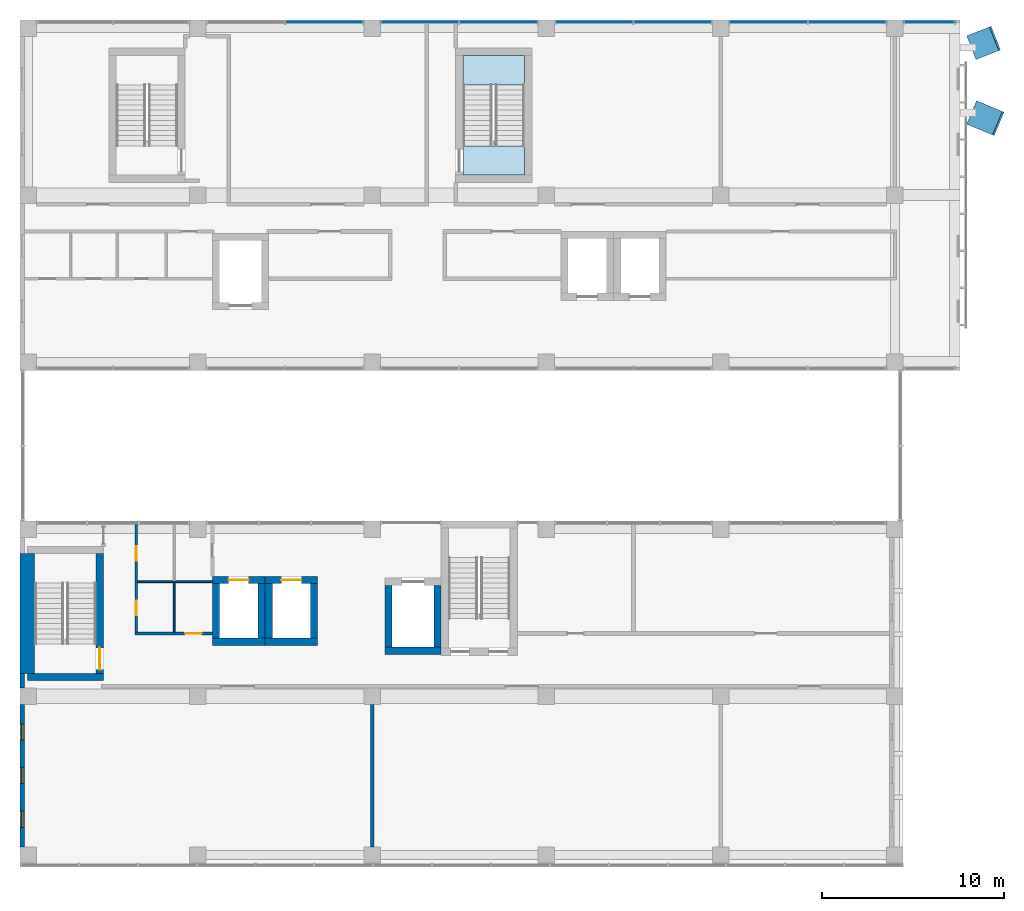
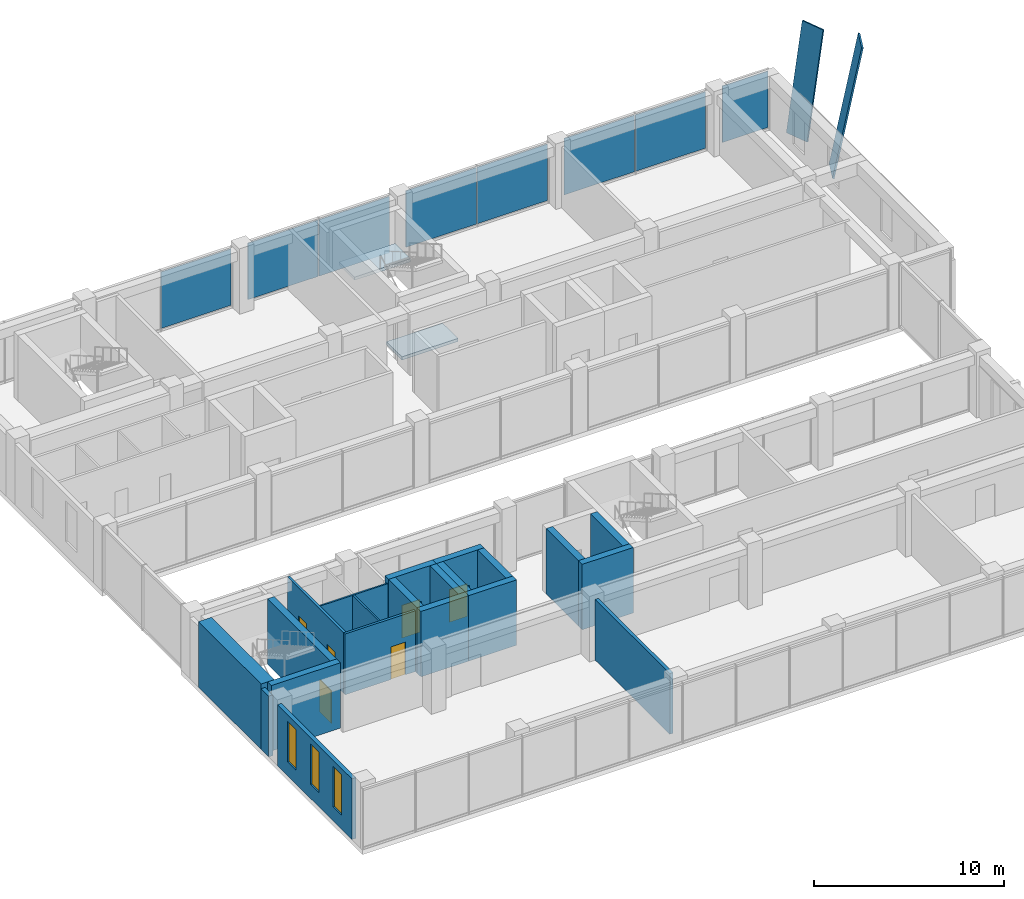
# One storey, part 27 of 37: 21 walls, 10 plates, 6 doors, 3 windows, 2 slabs, 9 openings, 6 elements without a shape of their own.
"""IFC4 building model written with IfcOpenShell, lengths in metres."""

from ifc_helpers import new_model, si_unit, direction, frame, frame_2d, origin, origin_2d, place, context, subcontext, project, spatial, polyline, rectangle, outline, extrude, material, layer, layer_set, layer_usage, material_profile, profile_set, type_object, element, fill, aggregate, save


model = new_model("IFC4")

# Units and contexts
model_context = context("Model", 3, precision=1e-05, world=origin(), true_north=direction((0.0, 1.0)))
body_context = subcontext(model_context, "Body", "Model", "MODEL_VIEW")
ifc_project = project(units=[si_unit("LENGTHUNIT", "METRE"), si_unit("AREAUNIT", "SQUARE_METRE"), si_unit("VOLUMEUNIT", "CUBIC_METRE"), si_unit("PLANEANGLEUNIT", "RADIAN"), si_unit("MASSUNIT", "GRAM", prefix="KILO")], contexts=[model_context])

# Site, building, storey
site_placement = place(None, origin())
site = spatial("IfcSite", under=ifc_project, at=site_placement, CompositionType="ELEMENT")
building_placement = place(site_placement, origin())
building = spatial("IfcBuilding", under=site, at=building_placement, Name="Nzadi Deep Aquarium and Research Tower", CompositionType="ELEMENT")
storey_placement = place(building_placement, frame((0.0, 0.0, 57.10009765625)))
storey = spatial("IfcBuildingStorey", under=building, at=storey_placement, Name="L11", CompositionType="ELEMENT", Elevation=57.10009765625)

# Plates
ifc_material_1 = material(Name="Anodised aluminium, bright", Category="aluminium")
ifc_material_profile_1 = material_profile(ifc_material_1, rectangle(XDim=1.39990234375, YDim=0.10009765625, at=origin_2d()))
ifc_profile_set_1 = profile_set([ifc_material_profile_1], Name="Anodised aluminium, bright")
plate_type_1 = type_object("IfcPlateType", Name="Fold blade anodised aluminium 1400x100, 6.6 m", PredefinedType="SHEET", material=ifc_profile_set_1)
plate_1_placement = place(storey_placement, frame((52.256591796875, 44.93994140625, 0.010009765625), z_axis=(0.190240304875, 0.074979019635, 0.978870151254), x_axis=(-0.366676362678, 0.930348561053, 0.0)))
element("IfcPlate", 1, at=plate_1_placement, inside=storey, type_object=plate_type_1, Name="FD019 fold blade EB L11", PredefinedType="SHEET", context=body_context, shape_type="SweptSolid", body=[
    extrude(rectangle(XDim=1.39990234375, YDim=0.10009765625, at=origin_2d()), origin(), (0.0, 0.0, 1.0), 6.60009765625),
])
ifc_material_2 = material(Name="Anodised aluminium, bright", Category="aluminium")
ifc_material_profile_2 = material_profile(ifc_material_2, rectangle(XDim=1.39990234375, YDim=0.10009765625, at=origin_2d()))
ifc_profile_set_2 = profile_set([ifc_material_profile_2], Name="Anodised aluminium, bright")
plate_type_2 = type_object("IfcPlateType", Name="Fold blade anodised aluminium 1400x100, 8.4 m", PredefinedType="SHEET", material=ifc_profile_set_2)
plate_2_placement = place(storey_placement, frame((52.27001953125, 41.340087890625, 0.009033203125), z_axis=(0.169702913229, -0.0710026061, 0.982934154035), x_axis=(0.385972383859, 0.922510335388, 0.0)))
element("IfcPlate", 2, at=plate_2_placement, inside=storey, type_object=plate_type_2, Name="FD018 fold blade EB L11", PredefinedType="SHEET", context=body_context, shape_type="SweptSolid", body=[
    extrude(rectangle(XDim=1.39990234375, YDim=0.10009765625, at=origin_2d()), origin(), (0.0, 0.0, 1.0), 8.400146484375),
])

# Curtain wall, plate
ifc_material_3 = material(Name="Aluminium unitised frame deep", Category="aluminium")
ifc_layer_1 = layer(ifc_material_3, 0.22509765625)
ifc_layer_set_1 = layer_set([ifc_layer_1], Name="Aluminium unitised frame deep")
curtain_wall_type = type_object("IfcCurtainWallType", Name="Curtain wall Unitised Deep 225", PredefinedType="NOTDEFINED", material=ifc_layer_set_1)
curtain_wall_1_placement = place(storey_placement, origin())
curtain_wall_1 = element("IfcCurtainWall", 3, at=curtain_wall_1_placement, inside=storey, type_object=curtain_wall_type, Name="Unitised curtain wall blade B north L11", PredefinedType="NOTDEFINED")
ifc_material_4 = material(Name="Glass, sage tint", Category="glass")
ifc_layer_2 = layer(ifc_material_4, 0.0400390625)
ifc_layer_set_2 = layer_set([ifc_layer_2], Name="Glass, sage tint")
plate_type_3 = type_object("IfcPlateType", Name="Glazing panel 40 Unitised Deep", PredefinedType="CURTAIN_PANEL", material=ifc_layer_set_2)
plate_3_placement = place(storey_placement, frame((16.56005859375, 46.33740234375, 0.139892578125), z_axis=(0.0, 0.0, 1.0), x_axis=(1.0, 0.0, 0.0)))
plate_3 = element("IfcPlate", 4, at=plate_3_placement, type_object=plate_type_3, Name="CW147 panel 2.1", PredefinedType="CURTAIN_PANEL", context=body_context, shape_type="SweptSolid", body=[
    extrude(rectangle(XDim=4.260009765625, YDim=0.0400390625, at=origin_2d()), origin(), (0.0, 0.0, 1.0), 3.6201171875),
])
aggregate(curtain_wall_1, [plate_3])

# Curtain wall, plates
curtain_wall_2_placement = place(storey_placement, origin())
curtain_wall_2 = element("IfcCurtainWall", 5, at=curtain_wall_2_placement, inside=storey, type_object=curtain_wall_type, Name="Unitised curtain wall blade B north L11", PredefinedType="NOTDEFINED")
plate_4_placement = place(storey_placement, frame((21.840087890625, 46.33740234375, 0.139892578125), z_axis=(0.0, 0.0, 1.0), x_axis=(1.0, 0.0, 0.0)))
plate_4 = element("IfcPlate", 6, at=plate_4_placement, type_object=plate_type_3, Name="CW148 panel 1.1", PredefinedType="CURTAIN_PANEL", context=body_context, shape_type="SweptSolid", body=[
    extrude(rectangle(XDim=4.260009765625, YDim=0.0400390625, at=origin_2d()), origin(), (0.0, 0.0, 1.0), 3.6201171875),
])
plate_5_placement = place(storey_placement, frame((26.159912109375, 46.33740234375, 0.139892578125), z_axis=(0.0, 0.0, 1.0), x_axis=(1.0, 0.0, 0.0)))
plate_5 = element("IfcPlate", 7, at=plate_5_placement, type_object=plate_type_3, Name="CW148 panel 2.1", PredefinedType="CURTAIN_PANEL", context=body_context, shape_type="SweptSolid", body=[
    extrude(rectangle(XDim=4.260009765625, YDim=0.0400390625, at=origin_2d()), origin(), (0.0, 0.0, 1.0), 3.6201171875),
])
aggregate(curtain_wall_2, [plate_4, plate_5])

curtain_wall_3_placement = place(storey_placement, origin())
curtain_wall_3 = element("IfcCurtainWall", 8, at=curtain_wall_3_placement, inside=storey, type_object=curtain_wall_type, Name="Unitised curtain wall blade B north L11", PredefinedType="NOTDEFINED")
plate_6_placement = place(storey_placement, frame((31.43994140625, 46.33740234375, 0.139892578125), z_axis=(0.0, 0.0, 1.0), x_axis=(1.0, 0.0, 0.0)))
plate_6 = element("IfcPlate", 9, at=plate_6_placement, type_object=plate_type_3, Name="CW149 panel 1.1", PredefinedType="CURTAIN_PANEL", context=body_context, shape_type="SweptSolid", body=[
    extrude(rectangle(XDim=4.260009765625, YDim=0.0400390625, at=origin_2d()), origin(), (0.0, 0.0, 1.0), 3.6201171875),
])
plate_7_placement = place(storey_placement, frame((35.760009765625, 46.33740234375, 0.139892578125), z_axis=(0.0, 0.0, 1.0), x_axis=(1.0, 0.0, 0.0)))
plate_7 = element("IfcPlate", 10, at=plate_7_placement, type_object=plate_type_3, Name="CW149 panel 2.1", PredefinedType="CURTAIN_PANEL", context=body_context, shape_type="SweptSolid", body=[
    extrude(rectangle(XDim=4.260009765625, YDim=0.0400390625, at=origin_2d()), origin(), (0.0, 0.0, 1.0), 3.6201171875),
])
aggregate(curtain_wall_3, [plate_6, plate_7])

curtain_wall_4_placement = place(storey_placement, origin())
curtain_wall_4 = element("IfcCurtainWall", 11, at=curtain_wall_4_placement, inside=storey, type_object=curtain_wall_type, Name="Unitised curtain wall blade B north L11", PredefinedType="NOTDEFINED")
plate_8_placement = place(storey_placement, frame((41.0400390625, 46.33740234375, 0.139892578125), z_axis=(0.0, 0.0, 1.0), x_axis=(1.0, 0.0, 0.0)))
plate_8 = element("IfcPlate", 12, at=plate_8_placement, type_object=plate_type_3, Name="CW150 panel 1.1", PredefinedType="CURTAIN_PANEL", context=body_context, shape_type="SweptSolid", body=[
    extrude(rectangle(XDim=4.260009765625, YDim=0.0400390625, at=origin_2d()), origin(), (0.0, 0.0, 1.0), 3.6201171875),
])
plate_9_placement = place(storey_placement, frame((45.360107421875, 46.33740234375, 0.139892578125), z_axis=(0.0, 0.0, 1.0), x_axis=(1.0, 0.0, 0.0)))
plate_9 = element("IfcPlate", 13, at=plate_9_placement, type_object=plate_type_3, Name="CW150 panel 2.1", PredefinedType="CURTAIN_PANEL", context=body_context, shape_type="SweptSolid", body=[
    extrude(rectangle(XDim=4.260009765625, YDim=0.0400390625, at=origin_2d()), origin(), (0.0, 0.0, 1.0), 3.6201171875),
])
aggregate(curtain_wall_4, [plate_8, plate_9])

# Curtain wall, plate
curtain_wall_5_placement = place(storey_placement, origin())
curtain_wall_5 = element("IfcCurtainWall", 14, at=curtain_wall_5_placement, inside=storey, type_object=curtain_wall_type, Name="Unitised curtain wall blade B north L11", PredefinedType="NOTDEFINED")
plate_10_placement = place(storey_placement, frame((49.89990234375, 46.33740234375, 0.139892578125), z_axis=(0.0, 0.0, 1.0), x_axis=(1.0, 0.0, 0.0)))
plate_10 = element("IfcPlate", 15, at=plate_10_placement, type_object=plate_type_3, Name="CW151 panel 1.1", PredefinedType="CURTAIN_PANEL", context=body_context, shape_type="SweptSolid", body=[
    extrude(rectangle(XDim=2.780029296875, YDim=0.0400390625, at=origin_2d()), origin(), (0.0, 0.0, 1.0), 3.6201171875),
])
aggregate(curtain_wall_5, [plate_10])

# Stair, slabs
ifc_material_5 = material(Name="Concrete C35/45", Category="concrete")
stair_type = type_object("IfcStairType", Name="STAIR RETURN 3000", PredefinedType="NOTDEFINED", material=ifc_material_5)
stair_placement = place(storey_placement, origin())
stair = element("IfcStair", 16, at=stair_placement, inside=storey, type_object=stair_type, Name="Stair ST-Z1-NE L11", PredefinedType="HALF_TURN_STAIR")
ifc_material_6 = material(Name="Concrete C35/45", Category="concrete")
ifc_layer_3 = layer(ifc_material_6, 0.199951171875)
ifc_layer_set_3 = layer_set([ifc_layer_3], Name="Concrete C35/45")
slab_type = type_object("IfcSlabType", Name="LANDING 200", PredefinedType="LANDING", material=ifc_layer_set_3)
slab_1_placement = place(storey_placement, frame((0.0, 0.0, -0.2001953125)))
slab_1 = element("IfcSlab", 17, at=slab_1_placement, type_object=slab_type, Name="ST-Z1-NE landing 1", PredefinedType="LANDING", context=body_context, shape_type="SweptSolid", body=[
    extrude(outline(polyline([(24.199951171875, 37.89990234375), (27.60009765625, 37.89990234375), (27.60009765625, 39.52001953125), (24.199951171875, 39.52001953125), (24.199951171875, 37.89990234375)])), origin(), (0.0, 0.0, 1.0), 0.2001953125),
])
slab_2_placement = place(storey_placement, frame((0.0, 0.0, 1.89990234375)))
slab_2 = element("IfcSlab", 18, at=slab_2_placement, type_object=slab_type, Name="ST-Z1-NE landing 2", PredefinedType="LANDING", context=body_context, shape_type="SweptSolid", body=[
    extrude(outline(polyline([(24.199951171875, 42.8798828125), (27.60009765625, 42.8798828125), (27.60009765625, 44.5), (24.199951171875, 44.5), (24.199951171875, 42.8798828125)])), origin(), (0.0, 0.0, 1.0), 0.199951171875),
])
aggregate(stair, [slab_1, slab_2])

# Wall
ifc_material_7 = material(Name="Concrete C35/45", Category="concrete")
ifc_layer_4 = layer(ifc_material_7, 0.14990234375, Category="cladding")
ifc_material_8 = material(Name="Mineral wool insulation")
ifc_layer_5 = layer(ifc_material_8, 0.070068359375, Category="insulation")
ifc_material_9 = material(Name="Gypsum board lining")
ifc_layer_6 = layer(ifc_material_9, 0.030029296875, Category="lining")
ifc_layer_set_4 = layer_set([ifc_layer_4, ifc_layer_5, ifc_layer_6], Name="Concrete C35/45, Mineral wool insulation, Gypsum board lining")
ifc_layer_usage_1 = layer_usage(ifc_layer_set_4, "AXIS2", "POSITIVE", -0.125)
wall_type_1 = type_object("IfcWallType", Name="End wall board-formed concrete 250", PredefinedType="ELEMENTEDWALL", material=ifc_layer_set_4)
wall_1_placement = place(storey_placement, frame((-0.074462890625, 10.449951171875, 0.0), z_axis=(0.0, 0.0, 1.0), x_axis=(0.0, -1.0, 0.0)))
element("IfcWall", 19, at=wall_1_placement, inside=storey, type_object=wall_type_1, material=ifc_layer_usage_1, Name="End wall blade A west L11", PredefinedType="ELEMENTEDWALL", context=body_context, shape_type="SweptSolid", body=[
    extrude(rectangle(XDim=0.800048828125, YDim=0.25, at=frame_2d((0.39990234375, 0.0))), origin(), (0.0, 0.0, 1.0), 3.89990234375),
])

# Wall, openings, windows
ifc_material_10 = material(Name="Graphite aluminium shingle", Category="aluminium")
ifc_layer_7 = layer(ifc_material_10, 0.050048828125, Category="cladding")
ifc_layer_8 = layer(ifc_material_7, 0.10009765625, Category="cladding")
ifc_layer_9 = layer(ifc_material_8, 0.070068359375, Category="insulation")
ifc_layer_10 = layer(ifc_material_9, 0.030029296875, Category="lining")
ifc_layer_set_5 = layer_set([ifc_layer_7, ifc_layer_8, ifc_layer_9, ifc_layer_10], Name="Graphite aluminium shingle, Concrete C35/45, Mineral wool insulation, Gypsum board lining")
ifc_layer_usage_2 = layer_usage(ifc_layer_set_5, "AXIS2", "POSITIVE", -0.125)
wall_type_2 = type_object("IfcWallType", Name="End wall shingle over board-formed concrete 250", PredefinedType="ELEMENTEDWALL", material=ifc_layer_set_5)
wall_2_placement = place(storey_placement, frame((-0.074462890625, 8.75, 0.0), z_axis=(0.0, 0.0, 1.0), x_axis=(0.0, -1.0, 0.0)))
wall_2 = element("IfcWall", 20, at=wall_2_placement, inside=storey, type_object=wall_type_2, material=ifc_layer_usage_2, Name="End wall blade A west L11", PredefinedType="ELEMENTEDWALL", context=body_context, shape_type="SweptSolid", body=[
    extrude(rectangle(XDim=7.85009765625, YDim=0.25, at=frame_2d((3.925048828125, 0.0))), origin(), (0.0, 0.0, 1.0), 3.89990234375),
])
opening_1_placement = place(wall_2_placement, frame((5.875, 0.0, 0.89990234375)))
opening_1 = element("IfcOpeningElement", 21, at=opening_1_placement, cuts=wall_2, Name="Opening WN02", PredefinedType="OPENING", context=body_context, shape_type="SweptSolid", body=[
    extrude(rectangle(XDim=0.89990234375, YDim=2.60009765625, at=frame_2d((0.449951171875, 1.300048828125))), frame((0.0, 0.135009765625, 0.0), z_axis=(0.0, -1.0, 0.0), x_axis=(1.0, 0.0, 0.0)), (0.0, 0.0, 1.0), 0.27001953125),
])
opening_2_placement = place(wall_2_placement, frame((3.47509765625, 0.0, 0.89990234375)))
opening_2 = element("IfcOpeningElement", 22, at=opening_2_placement, cuts=wall_2, Name="Opening WN02", PredefinedType="OPENING", context=body_context, shape_type="SweptSolid", body=[
    extrude(rectangle(XDim=0.89990234375, YDim=2.60009765625, at=frame_2d((0.449951171875, 1.300048828125))), frame((0.0, 0.135009765625, 0.0), z_axis=(0.0, -1.0, 0.0), x_axis=(1.0, 0.0, 0.0)), (0.0, 0.0, 1.0), 0.27001953125),
])
opening_3_placement = place(wall_2_placement, frame((1.074951171875, 0.0, 0.89990234375)))
opening_3 = element("IfcOpeningElement", 23, at=opening_3_placement, cuts=wall_2, Name="Opening WN02", PredefinedType="OPENING", context=body_context, shape_type="SweptSolid", body=[
    extrude(rectangle(XDim=0.89990234375, YDim=2.60009765625, at=frame_2d((0.449951171875, 1.300048828125))), frame((0.0, 0.135009765625, 0.0), z_axis=(0.0, -1.0, 0.0), x_axis=(1.0, 0.0, 0.0)), (0.0, 0.0, 1.0), 0.27001953125),
])
ifc_material_11 = material(Name="Aluminium window, sage tint glazing", Category="aluminium")
window_type = type_object("IfcWindowType", Name="Slot window 900x2600 sill 900", PartitioningType="SINGLE_PANEL", PredefinedType="WINDOW", material=ifc_material_11)
window_1_placement = place(opening_1_placement, origin())
window_1 = element("IfcWindow", 24, at=window_1_placement, inside=storey, type_object=window_type, Name="Slot window L11 AW", OverallHeight=2.60009765625, OverallWidth=0.89990234375, PartitioningType="SINGLE_PANEL", PredefinedType="WINDOW", context=body_context, shape_type="SweptSolid", body=[
    extrude(rectangle(XDim=0.89990234375, YDim=2.60009765625, at=frame_2d((0.449951171875, 1.300048828125))), frame((0.0, 0.030029296875, 0.0), z_axis=(0.0, -1.0, 0.0), x_axis=(1.0, 0.0, 0.0)), (0.0, 0.0, 1.0), 0.06005859375),
])
fill(opening_1, window_1)
window_2_placement = place(opening_2_placement, origin())
window_2 = element("IfcWindow", 25, at=window_2_placement, inside=storey, type_object=window_type, Name="Slot window L11 AW", OverallHeight=2.60009765625, OverallWidth=0.89990234375, PartitioningType="SINGLE_PANEL", PredefinedType="WINDOW", context=body_context, shape_type="SweptSolid", body=[
    extrude(rectangle(XDim=0.89990234375, YDim=2.60009765625, at=frame_2d((0.449951171875, 1.300048828125))), frame((0.0, 0.030029296875, 0.0), z_axis=(0.0, -1.0, 0.0), x_axis=(1.0, 0.0, 0.0)), (0.0, 0.0, 1.0), 0.06005859375),
])
fill(opening_2, window_2)
window_3_placement = place(opening_3_placement, origin())
window_3 = element("IfcWindow", 26, at=window_3_placement, inside=storey, type_object=window_type, Name="Slot window L11 AW", OverallHeight=2.60009765625, OverallWidth=0.89990234375, PartitioningType="SINGLE_PANEL", PredefinedType="WINDOW", context=body_context, shape_type="SweptSolid", body=[
    extrude(rectangle(XDim=0.89990234375, YDim=2.60009765625, at=frame_2d((0.449951171875, 1.300048828125))), frame((0.0, 0.030029296875, 0.0), z_axis=(0.0, -1.0, 0.0), x_axis=(1.0, 0.0, 0.0)), (0.0, 0.0, 1.0), 0.06005859375),
])
fill(opening_3, window_3)

# Walls
ifc_material_12 = material(Name="Blockwork masonry", Category="masonry")
ifc_layer_11 = layer(ifc_material_12, 0.10009765625)
ifc_layer_set_6 = layer_set([ifc_layer_11], Name="Blockwork masonry")
wall_type_3 = type_object("IfcWallType", Name="Partition 100 EI 30", PredefinedType="PARTITIONING", material=ifc_layer_set_6)
wall_3_placement = place(storey_placement, frame((6.27490234375, 15.5, 0.0), z_axis=(0.0, 0.0, 1.0), x_axis=(1.0, 0.0, 0.0)))
element("IfcWall", 27, at=wall_3_placement, inside=storey, type_object=wall_type_3, Name="W-Z1-L11-P010", PredefinedType="PARTITIONING", context=body_context, shape_type="SweptSolid", body=[
    extrude(rectangle(XDim=4.119140625, YDim=0.10009765625, at=frame_2d((2.0595703125, 0.0))), origin(), (0.0, 0.0, 1.0), 3.89990234375),
])
wall_4_placement = place(storey_placement, frame((8.300048828125, 12.72509765625, 0.0), z_axis=(0.0, 0.0, 1.0), x_axis=(0.0, 1.0, 0.0)))
element("IfcWall", 28, at=wall_4_placement, inside=storey, type_object=wall_type_3, Name="W-Z1-L11-P012", PredefinedType="PARTITIONING", context=body_context, shape_type="SweptSolid", body=[
    extrude(rectangle(XDim=2.724853515625, YDim=0.10009765625, at=frame_2d((1.3623046875, 0.0))), origin(), (0.0, 0.0, 1.0), 3.89990234375),
])

# Wall, opening, door
ifc_material_13 = material(Name="Blockwork masonry", Category="masonry")
ifc_layer_12 = layer(ifc_material_13, 0.14990234375)
ifc_layer_set_7 = layer_set([ifc_layer_12], Name="Blockwork masonry")
wall_type_4 = type_object("IfcWallType", Name="Partition 150 EI 60", PredefinedType="PARTITIONING", material=ifc_layer_set_7)
wall_5_placement = place(storey_placement, frame((6.125, 12.64990234375, 0.0), z_axis=(0.0, 0.0, 1.0), x_axis=(1.0, 0.0, 0.0)))
wall_5 = element("IfcWall", 29, at=wall_5_placement, inside=storey, type_object=wall_type_4, Name="W-Z1-L11-P008", PredefinedType="PARTITIONING", context=body_context, shape_type="SweptSolid", body=[
    extrude(rectangle(XDim=4.26904296875, YDim=0.14990234375, at=frame_2d((2.134521484375, 0.0))), origin(), (0.0, 0.0, 1.0), 3.89990234375),
])
opening_4_placement = place(wall_5_placement, frame((2.77490234375, 0.0, 0.0)))
opening_4 = element("IfcOpeningElement", 30, at=opening_4_placement, cuts=wall_5, Name="Opening D121003", PredefinedType="OPENING", context=body_context, shape_type="SweptSolid", body=[
    extrude(rectangle(XDim=0.89990234375, YDim=2.10009765625, at=frame_2d((0.449951171875, 1.050048828125))), frame((0.0, 0.0849609375, 0.0), z_axis=(0.0, -1.0, 0.0), x_axis=(1.0, 0.0, 0.0)), (0.0, 0.0, 1.0), 0.169921875),
])
ifc_material_14 = material(Name="Fire-rated steel door", Category="steel")
ifc_layer_13 = layer(ifc_material_14, 0.050048828125)
ifc_layer_set_8 = layer_set([ifc_layer_13], Name="Fire-rated steel door")
door_type_1 = type_object("IfcDoorType", Name="Door 900x2100 EI 60 single", OperationType="SINGLE_SWING_LEFT", PredefinedType="DOOR", material=ifc_layer_set_8)
door_1_placement = place(opening_4_placement, origin())
door_1 = element("IfcDoor", 31, at=door_1_placement, inside=storey, type_object=door_type_1, Name="D121003", OperationType="SINGLE_SWING_RIGHT", OverallHeight=2.10009765625, OverallWidth=0.89990234375, PredefinedType="DOOR", context=body_context, shape_type="SweptSolid", body=[
    extrude(rectangle(XDim=0.89990234375, YDim=2.10009765625, at=frame_2d((0.449951171875, 1.050048828125))), frame((0.0, 0.02490234375, 0.0), z_axis=(0.0, -1.0, 0.0), x_axis=(1.0, 0.0, 0.0)), (0.0, 0.0, 1.0), 0.050048828125),
])
fill(opening_4, door_1)

# Wall, openings, doors
wall_6_placement = place(storey_placement, frame((6.199951171875, 12.72509765625, 0.0), z_axis=(0.0, 0.0, 1.0), x_axis=(0.0, 1.0, 0.0)))
wall_6 = element("IfcWall", 32, at=wall_6_placement, inside=storey, type_object=wall_type_4, Name="W-Z1-L11-P009", PredefinedType="PARTITIONING", context=body_context, shape_type="SweptSolid", body=[
    extrude(rectangle(XDim=5.9189453125, YDim=0.14990234375, at=frame_2d((2.95947265625, 0.0))), origin(), (0.0, 0.0, 1.0), 3.89990234375),
])
opening_5_placement = place(wall_6_placement, frame((0.925048828125, 0.0, 0.0)))
opening_5 = element("IfcOpeningElement", 33, at=opening_5_placement, cuts=wall_6, Name="Opening D121002", PredefinedType="OPENING", context=body_context, shape_type="SweptSolid", body=[
    extrude(rectangle(XDim=0.800048828125, YDim=2.10009765625, at=frame_2d((0.39990234375, 1.050048828125))), frame((0.0, 0.0849609375, 0.0), z_axis=(0.0, -1.0, 0.0), x_axis=(1.0, 0.0, 0.0)), (0.0, 0.0, 1.0), 0.169921875),
])
opening_6_placement = place(wall_6_placement, frame((3.925048828125, 0.0, 0.0)))
opening_6 = element("IfcOpeningElement", 34, at=opening_6_placement, cuts=wall_6, Name="Opening D121004", PredefinedType="OPENING", context=body_context, shape_type="SweptSolid", body=[
    extrude(rectangle(XDim=0.800048828125, YDim=2.10009765625, at=frame_2d((0.39990234375, 1.050048828125))), frame((0.0, 0.0849609375, 0.0), z_axis=(0.0, -1.0, 0.0), x_axis=(1.0, 0.0, 0.0)), (0.0, 0.0, 1.0), 0.169921875),
])
ifc_material_15 = material(Name="Fire-rated steel door", Category="steel")
ifc_layer_14 = layer(ifc_material_15, 0.050048828125)
ifc_layer_set_9 = layer_set([ifc_layer_14], Name="Fire-rated steel door")
door_type_2 = type_object("IfcDoorType", Name="Door 800x2100 EI 60 single", OperationType="SINGLE_SWING_LEFT", PredefinedType="DOOR", material=ifc_layer_set_9)
door_2_placement = place(opening_5_placement, origin())
door_2 = element("IfcDoor", 35, at=door_2_placement, inside=storey, type_object=door_type_2, Name="D121002", OperationType="SINGLE_SWING_LEFT", OverallHeight=2.10009765625, OverallWidth=0.800048828125, PredefinedType="DOOR", context=body_context, shape_type="SweptSolid", body=[
    extrude(rectangle(XDim=0.800048828125, YDim=2.10009765625, at=frame_2d((0.39990234375, 1.050048828125))), frame((0.0, 0.02490234375, 0.0), z_axis=(0.0, -1.0, 0.0), x_axis=(1.0, 0.0, 0.0)), (0.0, 0.0, 1.0), 0.050048828125),
])
fill(opening_5, door_2)
door_3_placement = place(opening_6_placement, origin())
door_3 = element("IfcDoor", 36, at=door_3_placement, inside=storey, type_object=door_type_2, Name="D121004", OperationType="SINGLE_SWING_LEFT", OverallHeight=2.10009765625, OverallWidth=0.800048828125, PredefinedType="DOOR", context=body_context, shape_type="SweptSolid", body=[
    extrude(rectangle(XDim=0.800048828125, YDim=2.10009765625, at=frame_2d((0.39990234375, 1.050048828125))), frame((0.0, 0.02490234375, 0.0), z_axis=(0.0, -1.0, 0.0), x_axis=(1.0, 0.0, 0.0)), (0.0, 0.0, 1.0), 0.050048828125),
])
fill(opening_6, door_3)

# Walls
ifc_material_16 = material(Name="Blockwork masonry", Category="masonry")
ifc_layer_15 = layer(ifc_material_16, 0.199951171875)
ifc_layer_set_10 = layer_set([ifc_layer_15], Name="Blockwork masonry")
wall_type_5 = type_object("IfcWallType", Name="Partition 200 EI 120", PredefinedType="PARTITIONING", material=ifc_layer_set_10)
wall_7_placement = place(storey_placement, frame((19.199951171875, 0.89990234375, 0.0), z_axis=(0.0, 0.0, 1.0), x_axis=(0.0, 1.0, 0.0)))
element("IfcWall", 37, at=wall_7_placement, inside=storey, type_object=wall_type_5, Name="W-Z1-L11-P023", PredefinedType="PARTITIONING", context=body_context, shape_type="SweptSolid", body=[
    extrude(rectangle(XDim=7.85009765625, YDim=0.199951171875, at=frame_2d((3.925048828125, 0.0))), origin(), (0.0, 0.0, 1.0), 3.89990234375),
])
ifc_material_17 = material(Name="Concrete C35/45", Category="concrete")
ifc_layer_16 = layer(ifc_material_17, 0.39990234375)
ifc_layer_set_11 = layer_set([ifc_layer_16], Name="Concrete C35/45")
wall_type_6 = type_object("IfcWallType", Name="RC core wall 400", PredefinedType="SHEAR", material=ifc_layer_set_11)
wall_8_placement = place(storey_placement, frame((0.199951171875, 10.25, 0.0), z_axis=(0.0, 0.0, 1.0), x_axis=(1.0, 0.0, 0.0)))
element("IfcWall", 38, at=wall_8_placement, inside=storey, type_object=wall_type_6, Name="W-CORE-ST-Z1-SW-L11-S", PredefinedType="SHEAR", context=body_context, shape_type="SweptSolid", body=[
    extrude(rectangle(XDim=4.199951171875, YDim=0.39990234375, at=frame_2d((2.10009765625, 0.0))), origin(), (0.0, 0.0, 1.0), 4.199951171875),
])

# Wall, opening, door
wall_9_placement = place(storey_placement, frame((4.199951171875, 10.449951171875, 0.0), z_axis=(0.0, 0.0, 1.0), x_axis=(0.0, 1.0, 0.0)))
wall_9 = element("IfcWall", 39, at=wall_9_placement, inside=storey, type_object=wall_type_6, Name="W-CORE-ST-Z1-SW-L11-E", PredefinedType="SHEAR", context=body_context, shape_type="SweptSolid", body=[
    extrude(rectangle(XDim=6.60009765625, YDim=0.39990234375, at=frame_2d((3.300048828125, 0.0))), origin(), (0.0, 0.0, 1.0), 4.199951171875),
])
opening_7_placement = place(wall_9_placement, frame((0.2099609375, 0.0, 0.0)))
opening_7 = element("IfcOpeningElement", 40, at=opening_7_placement, cuts=wall_9, Name="Opening DS-Z1-SW-L11", PredefinedType="OPENING", context=body_context, shape_type="SweptSolid", body=[
    extrude(rectangle(XDim=1.199951171875, YDim=2.10009765625, at=frame_2d((0.60009765625, 1.050048828125))), frame((0.0, 0.2099609375, 0.0), z_axis=(0.0, -1.0, 0.0), x_axis=(1.0, 0.0, 0.0)), (0.0, 0.0, 1.0), 0.419921875),
])
ifc_material_18 = material(Name="Steel, powder coated", Category="steel")
door_type_3 = type_object("IfcDoorType", Name="STAIR DOOR 1200x2100 EI 60", OperationType="SINGLE_SWING_LEFT", PredefinedType="DOOR", material=ifc_material_18)
door_4_placement = place(opening_7_placement, origin())
door_4 = element("IfcDoor", 41, at=door_4_placement, inside=storey, type_object=door_type_3, Name="Stair door ST-Z1-SW L11", OperationType="SINGLE_SWING_RIGHT", OverallHeight=2.10009765625, OverallWidth=1.199951171875, PredefinedType="DOOR", context=body_context, shape_type="SweptSolid", body=[
    extrude(rectangle(XDim=1.199951171875, YDim=2.10009765625, at=frame_2d((0.60009765625, 1.050048828125))), frame((0.0, 0.02490234375, 0.0), z_axis=(0.0, -1.0, 0.0), x_axis=(1.0, 0.0, 0.0)), (0.0, 0.0, 1.0), 0.050048828125),
])
fill(opening_7, door_4)

# Wall
wall_10_placement = place(storey_placement, frame((10.39990234375, 12.199951171875, 0.0), z_axis=(0.0, 0.0, 1.0), x_axis=(1.0, 0.0, 0.0)))
element("IfcWall", 42, at=wall_10_placement, inside=storey, type_object=wall_type_6, Name="W-CORE-TL1-L11-S", PredefinedType="SHEAR", context=body_context, shape_type="SweptSolid", body=[
    extrude(rectangle(XDim=2.900146484375, YDim=0.39990234375, at=frame_2d((1.4501953125, 0.0))), origin(), (0.0, 0.0, 1.0), 4.199951171875),
])

# Wall, opening, door
wall_11_placement = place(storey_placement, frame((10.39990234375, 15.60009765625, 0.0), z_axis=(0.0, 0.0, 1.0), x_axis=(1.0, 0.0, 0.0)))
wall_11 = element("IfcWall", 43, at=wall_11_placement, inside=storey, type_object=wall_type_6, Name="W-CORE-TL1-L11-N", PredefinedType="SHEAR", context=body_context, shape_type="SweptSolid", body=[
    extrude(rectangle(XDim=2.900146484375, YDim=0.39990234375, at=frame_2d((1.4501953125, 0.0))), origin(), (0.0, 0.0, 1.0), 4.199951171875),
])
opening_8_placement = place(wall_11_placement, frame((0.89990234375, 0.0, 0.0)))
opening_8 = element("IfcOpeningElement", 44, at=opening_8_placement, cuts=wall_11, Name="Opening LD-TL1-L11", PredefinedType="OPENING", context=body_context, shape_type="SweptSolid", body=[
    extrude(rectangle(XDim=1.10009765625, YDim=2.10009765625, at=frame_2d((0.550048828125, 1.050048828125))), frame((0.0, 0.2099609375, 0.0), z_axis=(0.0, -1.0, 0.0), x_axis=(1.0, 0.0, 0.0)), (0.0, 0.0, 1.0), 0.419921875),
])
ifc_material_19 = material(Name="Stainless steel 1.4301", Category="steel")
door_type_4 = type_object("IfcDoorType", Name="LANDING DOOR 1100x2100", OperationType="DOUBLE_DOOR_SLIDING", PredefinedType="DOOR", material=ifc_material_19)
door_5_placement = place(opening_8_placement, origin())
door_5 = element("IfcDoor", 45, at=door_5_placement, inside=storey, type_object=door_type_4, Name="Landing door TL1 L11", OperationType="DOUBLE_DOOR_SLIDING", OverallHeight=2.10009765625, OverallWidth=1.10009765625, PredefinedType="DOOR", context=body_context, shape_type="SweptSolid", body=[
    extrude(rectangle(XDim=1.10009765625, YDim=2.10009765625, at=frame_2d((0.550048828125, 1.050048828125))), frame((0.0, 0.02490234375, 0.0), z_axis=(0.0, -1.0, 0.0), x_axis=(1.0, 0.0, 0.0)), (0.0, 0.0, 1.0), 0.050048828125),
])
fill(opening_8, door_5)

# Walls
for number, where, z_axis, x_axis, name in (
    (46, (10.60009765625, 12.39990234375, 0.0), (0.0, 0.0, 1.0), (0.0, 1.0, 0.0), "W-CORE-TL1-L11-W"),
    (47, (13.10009765625, 12.39990234375, 0.0), (0.0, 0.0, 1.0), (0.0, 1.0, 0.0), "W-CORE-TL1-L11-E"),
):
    element("IfcWall", number, at=place(storey_placement, frame(where, z_axis=z_axis, x_axis=x_axis)), inside=storey, type_object=wall_type_6, Name=name, PredefinedType="SHEAR", context=body_context, shape_type="SweptSolid", body=[
        extrude(rectangle(XDim=3.0, YDim=0.39990234375, at=frame_2d((1.5, 0.0))), origin(), (0.0, 0.0, 1.0), 4.199951171875),
    ])
wall_12_placement = place(storey_placement, frame((13.300048828125, 12.199951171875, 0.0), z_axis=(0.0, 0.0, 1.0), x_axis=(1.0, 0.0, 0.0)))
element("IfcWall", 48, at=wall_12_placement, inside=storey, type_object=wall_type_6, Name="W-CORE-TL2-L11-S", PredefinedType="SHEAR", context=body_context, shape_type="SweptSolid", body=[
    extrude(rectangle(XDim=2.89990234375, YDim=0.39990234375, at=frame_2d((1.449951171875, 0.0))), origin(), (0.0, 0.0, 1.0), 4.199951171875),
])

# Wall, opening, door
wall_13_placement = place(storey_placement, frame((13.300048828125, 15.60009765625, 0.0), z_axis=(0.0, 0.0, 1.0), x_axis=(1.0, 0.0, 0.0)))
wall_13 = element("IfcWall", 49, at=wall_13_placement, inside=storey, type_object=wall_type_6, Name="W-CORE-TL2-L11-N", PredefinedType="SHEAR", context=body_context, shape_type="SweptSolid", body=[
    extrude(rectangle(XDim=2.89990234375, YDim=0.39990234375, at=frame_2d((1.449951171875, 0.0))), origin(), (0.0, 0.0, 1.0), 4.199951171875),
])
opening_9_placement = place(wall_13_placement, frame((0.89990234375, 0.0, 0.0)))
opening_9 = element("IfcOpeningElement", 50, at=opening_9_placement, cuts=wall_13, Name="Opening LD-TL2-L11", PredefinedType="OPENING", context=body_context, shape_type="SweptSolid", body=[
    extrude(rectangle(XDim=1.10009765625, YDim=2.10009765625, at=frame_2d((0.550048828125, 1.050048828125))), frame((0.0, 0.2099609375, 0.0), z_axis=(0.0, -1.0, 0.0), x_axis=(1.0, 0.0, 0.0)), (0.0, 0.0, 1.0), 0.419921875),
])
door_6_placement = place(opening_9_placement, origin())
door_6 = element("IfcDoor", 51, at=door_6_placement, inside=storey, type_object=door_type_4, Name="Landing door TL2 L11", OperationType="DOUBLE_DOOR_SLIDING", OverallHeight=2.10009765625, OverallWidth=1.10009765625, PredefinedType="DOOR", context=body_context, shape_type="SweptSolid", body=[
    extrude(rectangle(XDim=1.10009765625, YDim=2.10009765625, at=frame_2d((0.550048828125, 1.050048828125))), frame((0.0, 0.02490234375, 0.0), z_axis=(0.0, -1.0, 0.0), x_axis=(1.0, 0.0, 0.0)), (0.0, 0.0, 1.0), 0.050048828125),
])
fill(opening_9, door_6)

# Walls
for number, where, z_axis, x_axis, name in (
    (52, (13.5, 12.39990234375, 0.0), (0.0, 0.0, 1.0), (0.0, 1.0, 0.0), "W-CORE-TL2-L11-W"),
    (53, (16.0, 12.39990234375, 0.0), (0.0, 0.0, 1.0), (0.0, 1.0, 0.0), "W-CORE-TL2-L11-E"),
):
    element("IfcWall", number, at=place(storey_placement, frame(where, z_axis=z_axis, x_axis=x_axis)), inside=storey, type_object=wall_type_6, Name=name, PredefinedType="SHEAR", context=body_context, shape_type="SweptSolid", body=[
        extrude(rectangle(XDim=3.0, YDim=0.39990234375, at=frame_2d((1.5, 0.0))), origin(), (0.0, 0.0, 1.0), 4.199951171875),
    ])
wall_14_placement = place(storey_placement, frame((19.89990234375, 11.699951171875, 0.0), z_axis=(0.0, 0.0, 1.0), x_axis=(1.0, 0.0, 0.0)))
element("IfcWall", 54, at=wall_14_placement, inside=storey, type_object=wall_type_6, Name="W-CORE-FL1-L11-S", PredefinedType="SHEAR", context=body_context, shape_type="SweptSolid", body=[
    extrude(rectangle(XDim=3.10009765625, YDim=0.39990234375, at=frame_2d((1.550048828125, 0.0))), origin(), (0.0, 0.0, 1.0), 4.199951171875),
])
for number, where, z_axis, x_axis, name in (
    (55, (20.10009765625, 11.89990234375, 0.0), (0.0, 0.0, 1.0), (0.0, 1.0, 0.0), "W-CORE-FL1-L11-W"),
    (56, (22.800048828125, 11.89990234375, 0.0), (0.0, 0.0, 1.0), (0.0, 1.0, 0.0), "W-CORE-FL1-L11-E"),
):
    element("IfcWall", number, at=place(storey_placement, frame(where, z_axis=z_axis, x_axis=x_axis)), inside=storey, type_object=wall_type_6, Name=name, PredefinedType="SHEAR", context=body_context, shape_type="SweptSolid", body=[
        extrude(rectangle(XDim=3.400146484375, YDim=0.39990234375, at=frame_2d((1.7001953125, 0.0))), origin(), (0.0, 0.0, 1.0), 4.199951171875),
    ])
ifc_material_20 = material(Name="Concrete C35/45", Category="concrete")
ifc_layer_17 = layer(ifc_material_20, 0.800048828125)
ifc_layer_set_12 = layer_set([ifc_layer_17], Name="Concrete C35/45")
wall_type_7 = type_object("IfcWallType", Name="RC core wall 800", PredefinedType="SHEAR", material=ifc_layer_set_12)
wall_15_placement = place(storey_placement, frame((0.200439453125, 10.449951171875, 0.0), z_axis=(0.0, 0.0, 1.0), x_axis=(0.0, 1.0, 0.0)))
element("IfcWall", 57, at=wall_15_placement, inside=storey, type_object=wall_type_7, Name="W-CORE-ST-Z1-SW-L11-W", PredefinedType="SHEAR", context=body_context, shape_type="SweptSolid", body=[
    extrude(rectangle(XDim=6.60009765625, YDim=0.800048828125, at=frame_2d((3.300048828125, 0.0))), origin(), (0.0, 0.0, 1.0), 4.199951171875),
])

save(model, "model.ifc")
